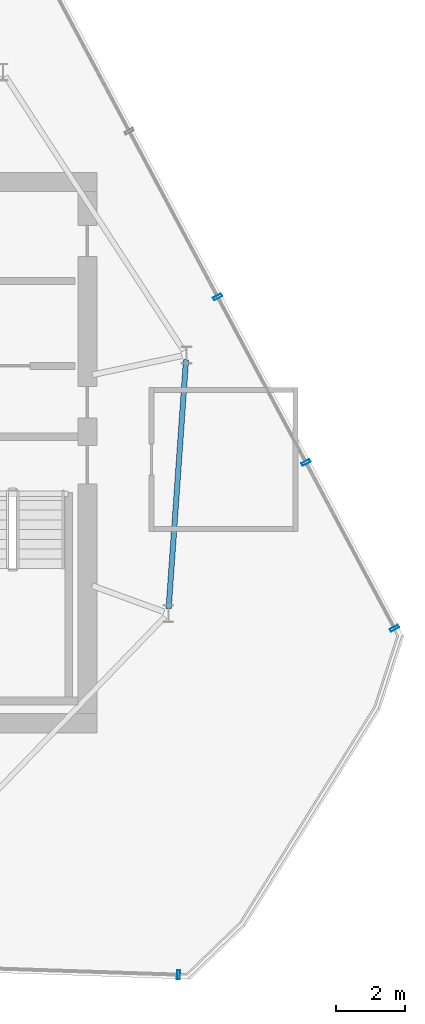
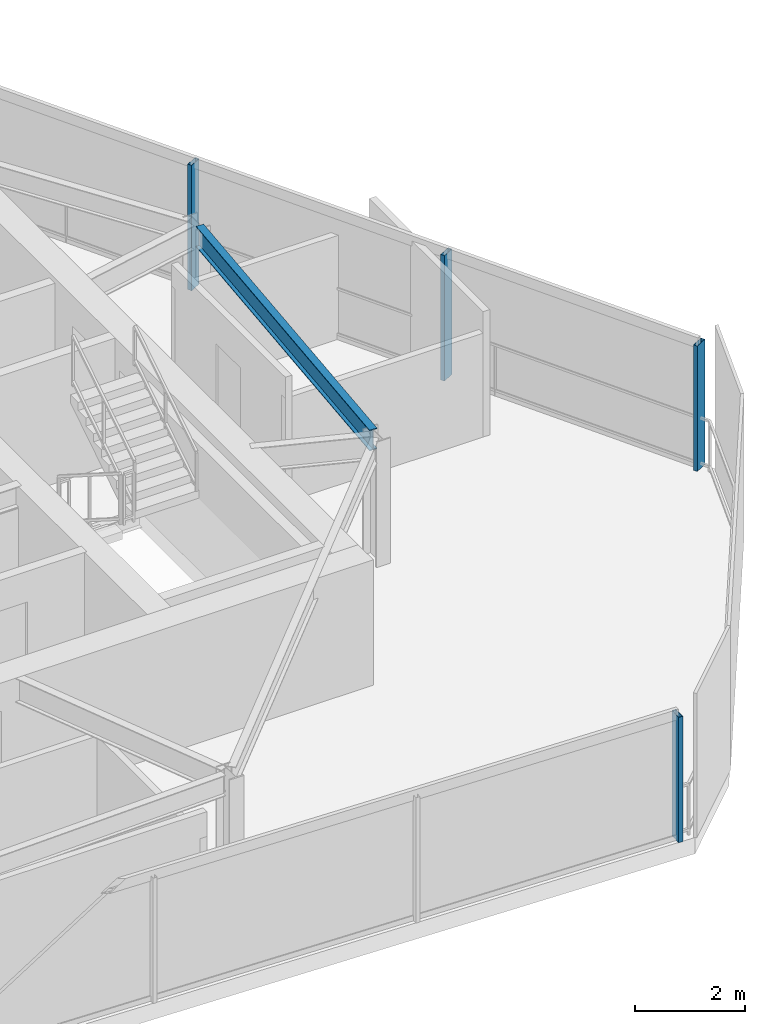
# One storey, part 10 of 16: 4 members, 1 beam, 2 elements without a shape of their own.
"""IFC4 building model written with IfcOpenShell, lengths in metres."""

from ifc_helpers import new_model, si_unit, direction, frame, origin, origin_2d, place, context, subcontext, project, spatial, hollow_rectangle, i_section, extrude, material, layer, layer_set, material_profile, profile_set, type_object, element, aggregate, save


model = new_model("IFC4")

# Units and contexts
model_context = context("Model", 3, precision=1e-05, world=origin(), true_north=direction((0.0, 1.0)))
body_context = subcontext(model_context, "Body", "Model", "MODEL_VIEW")
ifc_project = project(units=[si_unit("LENGTHUNIT", "METRE"), si_unit("AREAUNIT", "SQUARE_METRE"), si_unit("VOLUMEUNIT", "CUBIC_METRE"), si_unit("PLANEANGLEUNIT", "RADIAN"), si_unit("MASSUNIT", "GRAM", prefix="KILO")], contexts=[model_context])

# Site, building, storey
site_placement = place(None, origin())
site = spatial("IfcSite", under=ifc_project, at=site_placement, CompositionType="ELEMENT")
building_placement = place(site_placement, origin())
building = spatial("IfcBuilding", under=site, at=building_placement, Name="Qarnah Convention Tower", CompositionType="ELEMENT")
storey_placement = place(building_placement, frame((0.0, 0.0, 286.699951171875)))
storey = spatial("IfcBuildingStorey", under=building, at=storey_placement, Name="L77", CompositionType="ELEMENT", Elevation=286.699951171875)

# Beam
ifc_material_1 = material(Name="Structural steel S355JR", Category="steel")
ifc_material_profile_1 = material_profile(ifc_material_1, i_section(OverallWidth=0.154052734375, OverallDepth=0.4599609375, WebThickness=0.009033203125, FlangeThickness=0.014892578125, at=origin_2d()), Name="W460X68")
ifc_profile_set_1 = profile_set([ifc_material_profile_1], Name="Structural steel S355JR")
beam_type = type_object("IfcBeamType", Name="BM-SPN-W460B", PredefinedType="SPANDREL", material=ifc_profile_set_1)
beam_placement = place(storey_placement, frame((49.943115234375, 21.906005859375, 2.550048828125), z_axis=(0.069692584583, 0.997568515769, 0.0), x_axis=(-0.997568515769, 0.069692584583, 0.0)))
element("IfcBeam", 1, at=beam_placement, inside=storey, type_object=beam_type, Name="L77 spandrel BM-L77-SPN-09", PredefinedType="SPANDREL", context=body_context, shape_type="SweptSolid", body=[
    extrude(i_section(OverallWidth=0.154052734375, OverallDepth=0.4599609375, WebThickness=0.009033203125, FlangeThickness=0.014892578125, at=origin_2d()), origin(), (0.0, 0.0, 1.0), 7.1884765625),
])

# Curtain wall, members
ifc_material_2 = material(Name="Tempered Low-E dark glass", Category="glass")
ifc_layer = layer(ifc_material_2, 0.177978515625)
ifc_layer_set = layer_set([ifc_layer], Name="Tempered Low-E dark glass")
curtain_wall_type = type_object("IfcCurtainWallType", Name="CWS-06", PredefinedType="NOTDEFINED", material=ifc_layer_set)
curtain_wall_1_placement = place(storey_placement, origin())
curtain_wall_1 = element("IfcCurtainWall", 2, at=curtain_wall_1_placement, inside=storey, type_object=curtain_wall_type, Name="L77 unitised curtain wall CW-L77-F1", PredefinedType="NOTDEFINED")
ifc_material_3 = material(Name="Black anodised aluminium", Category="aluminium")
ifc_material_profile_2 = material_profile(ifc_material_3, hollow_rectangle(XDim=0.0849609375, YDim=0.260009765625, WallThickness=0.006103515625, at=origin_2d()), Name="MUL-85X260")
ifc_profile_set_2 = profile_set([ifc_material_profile_2], Name="Black anodised aluminium")
member_type = type_object("IfcMemberType", Name="MUL-T6", PredefinedType="MULLION", material=ifc_profile_set_2)
member_1_placement = place(storey_placement, frame((51.354736328125, 30.885498046875, 0.0), z_axis=(0.0, 0.0, 1.0), x_axis=(0.470716790186, -0.882284366538, 0.0)))
member_1 = element("IfcMember", 3, at=member_1_placement, type_object=member_type, Name="CW-L77-F1 mullion 4", PredefinedType="MULLION", context=body_context, shape_type="SweptSolid", body=[
    extrude(hollow_rectangle(XDim=0.0849609375, YDim=0.260009765625, WallThickness=0.006103515625, at=origin_2d()), origin(), (0.0, 0.0, 1.0), 2.780029296875),
])
member_2_placement = place(storey_placement, frame((53.9013671875, 26.1123046875, 0.0), z_axis=(0.0, 0.0, 1.0), x_axis=(0.470716790186, -0.882284366538, 0.0)))
member_2 = element("IfcMember", 4, at=member_2_placement, type_object=member_type, Name="CW-L77-F1 mullion 5", PredefinedType="MULLION", context=body_context, shape_type="SweptSolid", body=[
    extrude(hollow_rectangle(XDim=0.0849609375, YDim=0.260009765625, WallThickness=0.006103515625, at=origin_2d()), origin(), (0.0, 0.0, 1.0), 2.780029296875),
])
member_3_placement = place(storey_placement, frame((56.447998046875, 21.339111328125, 0.0), z_axis=(0.0, 0.0, 1.0), x_axis=(0.470716790186, -0.882284366538, 0.0)))
member_3 = element("IfcMember", 5, at=member_3_placement, type_object=member_type, Name="CW-L77-F1 mullion 6", PredefinedType="MULLION", context=body_context, shape_type="SweptSolid", body=[
    extrude(hollow_rectangle(XDim=0.0849609375, YDim=0.260009765625, WallThickness=0.006103515625, at=origin_2d()), origin(), (0.0, 0.0, 1.0), 2.780029296875),
])
aggregate(curtain_wall_1, [member_1, member_2, member_3])

# Curtain wall, member
curtain_wall_2_placement = place(storey_placement, origin())
curtain_wall_2 = element("IfcCurtainWall", 6, at=curtain_wall_2_placement, inside=storey, type_object=curtain_wall_type, Name="L77 unitised curtain wall CW-L77-F2", PredefinedType="NOTDEFINED")
member_4_placement = place(storey_placement, frame((50.22802734375, 11.35498046875, 0.0), z_axis=(0.0, 0.0, 1.0), x_axis=(-0.999438900358, 0.033494543595, 0.0)))
member_4 = element("IfcMember", 7, at=member_4_placement, type_object=member_type, Name="CW-L77-F2 mullion 1", PredefinedType="MULLION", context=body_context, shape_type="SweptSolid", body=[
    extrude(hollow_rectangle(XDim=0.0849609375, YDim=0.260009765625, WallThickness=0.006103515625, at=origin_2d()), origin(), (0.0, 0.0, 1.0), 2.780029296875),
])
aggregate(curtain_wall_2, [member_4])

save(model, "model.ifc")
